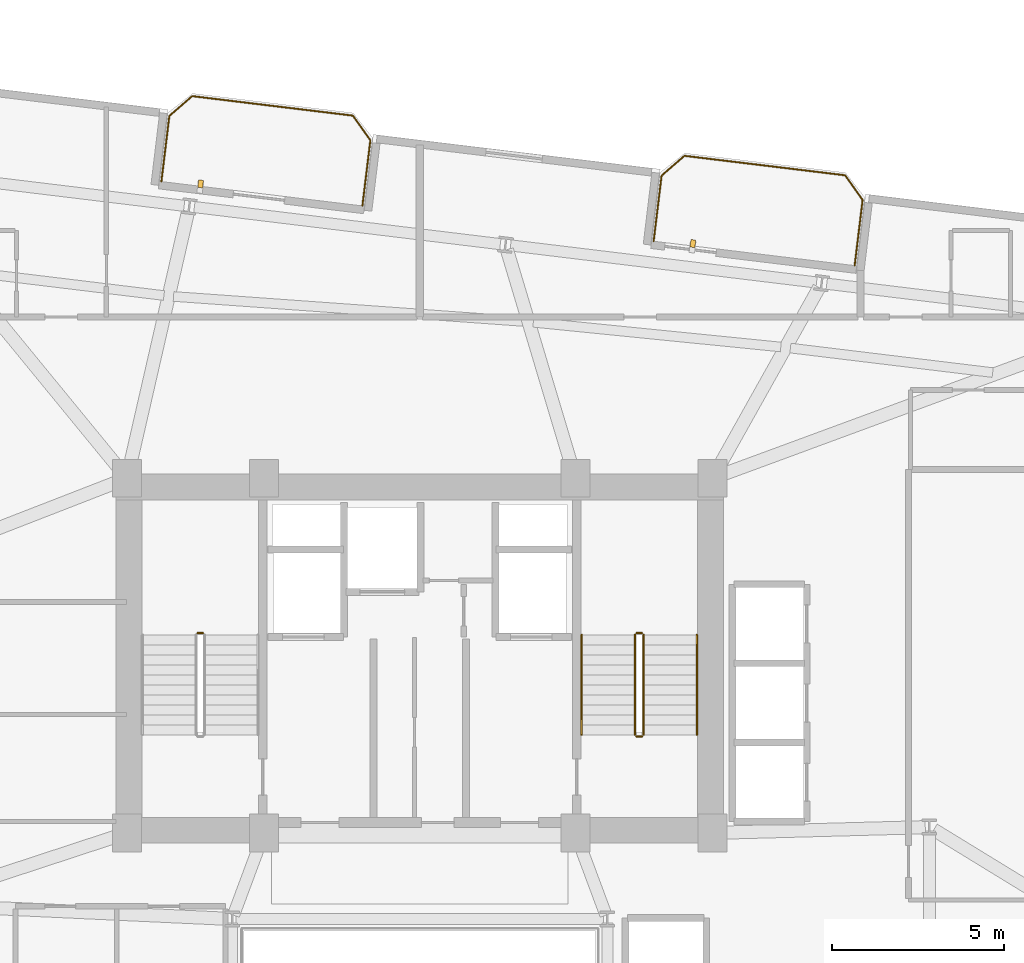
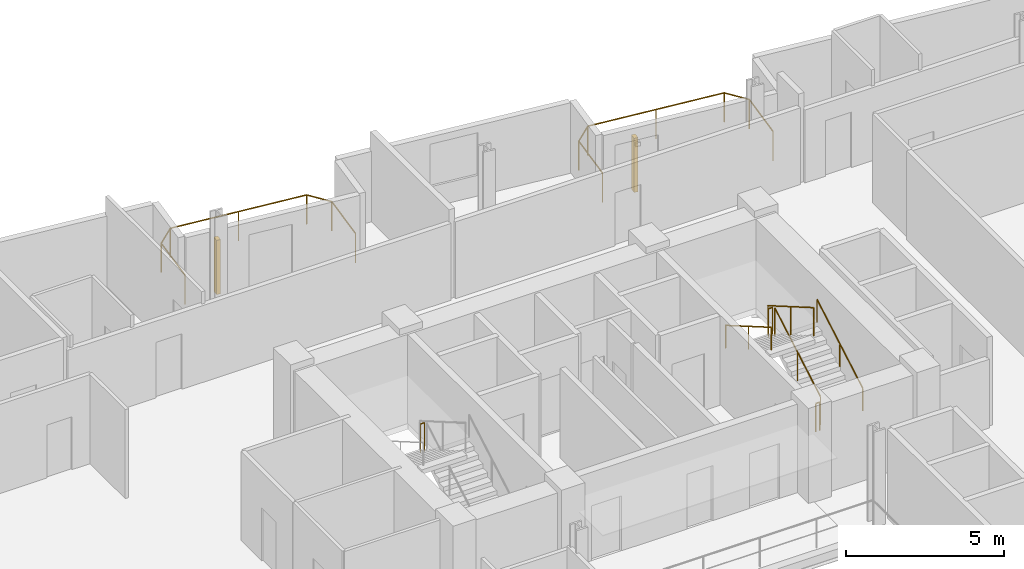
# One storey, part 26 of 26: 9 railings, 2 shading devices.
"""IFC4 building model written with IfcOpenShell, lengths in metres."""

from ifc_helpers import new_model, si_unit, direction, frame, origin, origin_2d, place, context, subcontext, project, spatial, rectangle, circle, extrude, source, transform, mapped, material, type_object, element, save


model = new_model("IFC4")

# Units and contexts
model_context = context("Model", 3, precision=1e-05, world=origin(), true_north=direction((0.0, 1.0)))
body_context = subcontext(model_context, "Body", "Model", "MODEL_VIEW")
ifc_project = project(units=[si_unit("LENGTHUNIT", "METRE"), si_unit("AREAUNIT", "SQUARE_METRE"), si_unit("VOLUMEUNIT", "CUBIC_METRE"), si_unit("PLANEANGLEUNIT", "RADIAN"), si_unit("MASSUNIT", "GRAM", prefix="KILO")], contexts=[model_context])

# Site, building, storey
site_placement = place(None, origin())
site = spatial("IfcSite", under=ifc_project, at=site_placement, CompositionType="ELEMENT")
building_placement = place(site_placement, origin())
building = spatial("IfcBuilding", under=site, at=building_placement, Name="Varnelok Gate Tower", CompositionType="ELEMENT")
storey_placement = place(building_placement, frame((0.0, 0.0, 143.89990234375)))
storey = spatial("IfcBuildingStorey", under=building, at=storey_placement, Name="L36", CompositionType="ELEMENT", Elevation=143.89990234375)

# Railings
ifc_material_1 = material(Name="Low-E Laminated Double Glazing IGU", Category="glass")
railing_type_1 = type_object("IfcRailingType", Name="RL-BALC-1150", PredefinedType="BALUSTRADE", material=ifc_material_1)
railing_1_placement = place(storey_placement, frame((31.697021484375, 47.66552734375, 0.0)))
element("IfcRailing", 1, at=railing_1_placement, inside=storey, type_object=railing_type_1, Name="L36 North Terrace Balustrade 3", PredefinedType="BALUSTRADE", context=body_context, shape_type="SweptSolid", body=[
    extrude(circle(Radius=0.02392578125, at=origin_2d()), frame((0.0, 0.0, 1.1259765625), z_axis=(0.120293392036, 0.992738384386, 0.0), x_axis=(-0.992738384386, 0.120293392036, 0.0)), (0.0, 0.0, 1.0), 1.919921875),
    extrude(circle(Radius=0.02392578125, at=origin_2d()), frame((0.23095703125, 1.906005859375, 1.1259765625), z_axis=(0.756422670136, 0.654083132411, 0.0), x_axis=(-0.654083132411, 0.756422670136, 0.0)), (0.0, 0.0, 1.0), 0.8779296875),
    extrude(circle(Radius=0.02392578125, at=origin_2d()), frame((0.89501953125, 2.480224609375, 1.1259765625), z_axis=(0.992730585037, -0.120357739811, 0.0), x_axis=(0.120357739811, 0.992730585037, 0.0)), (0.0, 0.0, 1.0), 4.699951171875),
    extrude(circle(Radius=0.02392578125, at=origin_2d()), frame((5.560791015625, 1.91455078125, 1.1259765625), z_axis=(0.578287426437, -0.81583310329, 0.0), x_axis=(0.81583310329, 0.578287426437, 0.0)), (0.0, 0.0, 1.0), 0.877685546875),
    extrude(circle(Radius=0.02392578125, at=origin_2d()), frame((6.068359375, 1.198486328125, 1.1259765625), z_axis=(-0.120418709125, -0.992723191274, 0.0), x_axis=(0.992723191274, -0.120418709125, 0.0)), (0.0, 0.0, 1.0), 1.919921875),
    extrude(circle(Radius=0.02099609375, at=origin_2d()), origin(), (0.0, 0.0, 1.0), 1.101806640625),
    extrude(circle(Radius=0.02099609375, at=origin_2d()), frame((0.23095703125, 1.906005859375, 0.0)), (0.0, 0.0, 1.0), 1.101806640625),
    extrude(circle(Radius=0.02099609375, at=origin_2d()), frame((0.89501953125, 2.480224609375, 0.0)), (0.0, 0.0, 1.0), 1.101806640625),
    extrude(circle(Radius=0.02099609375, at=origin_2d()), frame((3.22802734375, 2.197265625, 0.0)), (0.0, 0.0, 1.0), 1.101806640625),
    extrude(circle(Radius=0.02099609375, at=origin_2d()), frame((5.560791015625, 1.91455078125, 0.0)), (0.0, 0.0, 1.0), 1.101806640625),
    extrude(circle(Radius=0.02099609375, at=origin_2d()), frame((6.068359375, 1.198486328125, 0.0)), (0.0, 0.0, 1.0), 1.101806640625),
    extrude(circle(Radius=0.02099609375, at=origin_2d()), frame((5.837158203125, -0.70751953125, 0.0)), (0.0, 0.0, 1.0), 1.101806640625),
])
railing_2_placement = place(storey_placement, frame((45.992431640625, 45.9326171875, 0.0)))
element("IfcRailing", 2, at=railing_2_placement, inside=storey, type_object=railing_type_1, Name="L36 North Terrace Balustrade 4", PredefinedType="BALUSTRADE", context=body_context, shape_type="SweptSolid", body=[
    extrude(circle(Radius=0.02392578125, at=origin_2d()), frame((0.0, 0.0, 1.1259765625), z_axis=(0.120293392036, 0.992738384386, 0.0), x_axis=(-0.992738384386, 0.120293392036, 0.0)), (0.0, 0.0, 1.0), 1.919921875),
    extrude(circle(Radius=0.02392578125, at=origin_2d()), frame((0.23095703125, 1.906005859375, 1.1259765625), z_axis=(0.756422670136, 0.654083132411, 0.0), x_axis=(-0.654083132411, 0.756422670136, 0.0)), (0.0, 0.0, 1.0), 0.8779296875),
    extrude(circle(Radius=0.02392578125, at=origin_2d()), frame((0.89501953125, 2.480224609375, 1.1259765625), z_axis=(0.992730585037, -0.120357739811, 0.0), x_axis=(0.120357739811, 0.992730585037, 0.0)), (0.0, 0.0, 1.0), 4.699951171875),
    extrude(circle(Radius=0.02392578125, at=origin_2d()), frame((5.560791015625, 1.91455078125, 1.1259765625), z_axis=(0.57815621837, -0.815926091726, 0.0), x_axis=(0.815926091726, 0.57815621837, 0.0)), (0.0, 0.0, 1.0), 0.8779296875),
    extrude(circle(Radius=0.02392578125, at=origin_2d()), frame((6.068359375, 1.1982421875, 1.1259765625), z_axis=(-0.120418709125, -0.992723191274, 0.0), x_axis=(0.992723191274, -0.120418709125, 0.0)), (0.0, 0.0, 1.0), 1.919921875),
    extrude(circle(Radius=0.02099609375, at=origin_2d()), origin(), (0.0, 0.0, 1.0), 1.101806640625),
    extrude(circle(Radius=0.02099609375, at=origin_2d()), frame((0.23095703125, 1.906005859375, 0.0)), (0.0, 0.0, 1.0), 1.101806640625),
    extrude(circle(Radius=0.02099609375, at=origin_2d()), frame((0.89501953125, 2.480224609375, 0.0)), (0.0, 0.0, 1.0), 1.101806640625),
    extrude(circle(Radius=0.02099609375, at=origin_2d()), frame((3.22802734375, 2.197265625, 0.0)), (0.0, 0.0, 1.0), 1.101806640625),
    extrude(circle(Radius=0.02099609375, at=origin_2d()), frame((5.560791015625, 1.91455078125, 0.0)), (0.0, 0.0, 1.0), 1.101806640625),
    extrude(circle(Radius=0.02099609375, at=origin_2d()), frame((6.068359375, 1.1982421875, 0.0)), (0.0, 0.0, 1.0), 1.101806640625),
    extrude(circle(Radius=0.02099609375, at=origin_2d()), frame((5.837158203125, -0.707763671875, 0.0)), (0.0, 0.0, 1.0), 1.101806640625),
])
ifc_material_2 = material(Name="Brushed Stainless Steel AISI 316", Category="steel")
railing_type_2 = type_object("IfcRailingType", Name="RL-HANDRAIL-900", PredefinedType="HANDRAIL", material=ifc_material_2)
railing_3_placement = place(storey_placement, frame((47.25, 31.60009765625, 0.168212890625)))
element("IfcRailing", 3, at=railing_3_placement, inside=storey, type_object=railing_type_2, Name="L36 ST-2 stair handrail 1", PredefinedType="HANDRAIL", context=body_context, shape_type="SweptSolid", body=[
    extrude(circle(Radius=0.02392578125, at=origin_2d()), frame((0.0, 0.0, 0.8759765625), z_axis=(0.0, 0.865038774852, 0.501705010941), x_axis=(-1.0, 0.0, 0.0)), (0.0, 0.0, 1.0), 3.352294921875),
    extrude(circle(Radius=0.02099609375, at=origin_2d()), origin(), (0.0, 0.0, 1.0), 0.851806640625),
    extrude(circle(Radius=0.02099609375, at=origin_2d()), frame((0.0, 1.449951171875, 0.8408203125)), (0.0, 0.0, 1.0), 0.851806640625),
    extrude(circle(Radius=0.02099609375, at=origin_2d()), frame((0.0, 2.89990234375, 1.681884765625)), (0.0, 0.0, 1.0), 0.851806640625),
])
railing_4_placement = place(storey_placement, frame((43.89990234375, 34.5, 2.018310546875)))
element("IfcRailing", 4, at=railing_4_placement, inside=storey, type_object=railing_type_2, Name="L36 ST-2 stair handrail 2", PredefinedType="HANDRAIL", context=body_context, shape_type="SweptSolid", body=[
    extrude(circle(Radius=0.02392578125, at=origin_2d()), frame((0.0, 0.0, 0.8759765625), z_axis=(0.0, -0.865038774852, 0.501705010941), x_axis=(1.0, 0.0, 0.0)), (0.0, 0.0, 1.0), 3.352294921875),
    extrude(circle(Radius=0.02099609375, at=origin_2d()), origin(), (0.0, 0.0, 1.0), 0.851806640625),
    extrude(circle(Radius=0.02099609375, at=origin_2d()), frame((0.0, -1.449951171875, 0.8408203125)), (0.0, 0.0, 1.0), 0.851806640625),
    extrude(circle(Radius=0.02099609375, at=origin_2d()), frame((0.0, -2.89990234375, 1.681884765625)), (0.0, 0.0, 1.0), 0.851806640625),
])
ifc_material_3 = material(Name="Galvanized Steel Grade S350GD", Category="steel")
railing_type_3 = type_object("IfcRailingType", Name="RL-STAIR-GUARD1120", PredefinedType="GUARDRAIL", material=ifc_material_3)
railing_5_placement = place(storey_placement, frame((32.89990234375, 34.550048828125, 1.85009765625)))
element("IfcRailing", 5, at=railing_5_placement, inside=storey, type_object=railing_type_3, Name="L36 ST-1 stair guard 2", PredefinedType="GUARDRAIL", context=body_context, shape_type="SweptSolid", body=[
    extrude(circle(Radius=0.02392578125, at=origin_2d()), frame((0.0, 0.0, 1.09619140625), z_axis=(-1.0, 0.0, 0.0), x_axis=(0.0, -1.0, 0.0)), (0.0, 0.0, 1.0), 0.14990234375),
    extrude(circle(Radius=0.02099609375, at=origin_2d()), origin(), (0.0, 0.0, 1.0), 1.072021484375),
    extrude(circle(Radius=0.02099609375, at=origin_2d()), frame((-0.14990234375, 0.0, 0.0)), (0.0, 0.0, 1.0), 1.072021484375),
])
railing_6_placement = place(storey_placement, frame((45.699951171875, 31.60009765625, 0.168212890625)))
element("IfcRailing", 6, at=railing_6_placement, inside=storey, type_object=railing_type_3, Name="L36 ST-2 stair guard 1", PredefinedType="GUARDRAIL", context=body_context, shape_type="SweptSolid", body=[
    extrude(circle(Radius=0.02392578125, at=origin_2d()), frame((0.0, 0.0, 1.09619140625), z_axis=(0.0, 0.865038774852, 0.501705010941), x_axis=(-1.0, 0.0, 0.0)), (0.0, 0.0, 1.0), 3.352294921875),
    extrude(circle(Radius=0.02099609375, at=origin_2d()), origin(), (0.0, 0.0, 1.0), 1.072021484375),
    extrude(circle(Radius=0.02099609375, at=origin_2d()), frame((0.0, 1.449951171875, 0.8408203125)), (0.0, 0.0, 1.0), 1.072021484375),
    extrude(circle(Radius=0.02099609375, at=origin_2d()), frame((0.0, 2.89990234375, 1.681884765625)), (0.0, 0.0, 1.0), 1.072021484375),
])
railing_7_placement = place(storey_placement, frame((45.64990234375, 34.550048828125, 1.85009765625)))
element("IfcRailing", 7, at=railing_7_placement, inside=storey, type_object=railing_type_3, Name="L36 ST-2 stair guard 2", PredefinedType="GUARDRAIL", context=body_context, shape_type="SweptSolid", body=[
    extrude(circle(Radius=0.02392578125, at=origin_2d()), frame((0.0, 0.0, 1.09619140625), z_axis=(-1.0, 0.0, 0.0), x_axis=(0.0, -1.0, 0.0)), (0.0, 0.0, 1.0), 0.14990234375),
    extrude(circle(Radius=0.02099609375, at=origin_2d()), origin(), (0.0, 0.0, 1.0), 1.072021484375),
    extrude(circle(Radius=0.02099609375, at=origin_2d()), frame((-0.14990234375, 0.0, 0.0)), (0.0, 0.0, 1.0), 1.072021484375),
])
railing_8_placement = place(storey_placement, frame((45.449951171875, 34.5, 2.018310546875)))
element("IfcRailing", 8, at=railing_8_placement, inside=storey, type_object=railing_type_3, Name="L36 ST-2 stair guard 3", PredefinedType="GUARDRAIL", context=body_context, shape_type="SweptSolid", body=[
    extrude(circle(Radius=0.02392578125, at=origin_2d()), frame((0.0, 0.0, 1.09619140625), z_axis=(0.0, -0.865038774852, 0.501705010941), x_axis=(1.0, 0.0, 0.0)), (0.0, 0.0, 1.0), 3.352294921875),
    extrude(circle(Radius=0.02099609375, at=origin_2d()), origin(), (0.0, 0.0, 1.0), 1.072021484375),
    extrude(circle(Radius=0.02099609375, at=origin_2d()), frame((0.0, -1.449951171875, 0.8408203125)), (0.0, 0.0, 1.0), 1.072021484375),
    extrude(circle(Radius=0.02099609375, at=origin_2d()), frame((0.0, -2.89990234375, 1.681884765625)), (0.0, 0.0, 1.0), 1.072021484375),
])
railing_9_placement = place(storey_placement, frame((45.64990234375, 31.550048828125, 0.0)))
element("IfcRailing", 9, at=railing_9_placement, inside=storey, type_object=railing_type_3, Name="L36 ST-2 stair guard 4", PredefinedType="GUARDRAIL", context=body_context, shape_type="SweptSolid", body=[
    extrude(circle(Radius=0.02392578125, at=origin_2d()), frame((0.0, 0.0, 1.09619140625), z_axis=(-1.0, 0.0, 0.0), x_axis=(0.0, -1.0, 0.0)), (0.0, 0.0, 1.0), 0.14990234375),
    extrude(circle(Radius=0.02099609375, at=origin_2d()), origin(), (0.0, 0.0, 1.0), 1.072021484375),
    extrude(circle(Radius=0.02099609375, at=origin_2d()), frame((-0.14990234375, 0.0, 0.0)), (0.0, 0.0, 1.0), 1.072021484375),
])

# Shading devices
ifc_material_4 = material(Name="Glazed Architectural Terracotta Ceramic", Category="masonry")
shading_device_type = type_object("IfcShadingDeviceType", Name="SHD-TERRA-BAGUETTE", PredefinedType="USERDEFINED", material=ifc_material_4)
shared_shape = source(origin(), body_context, "Body", "SweptSolid", [
    extrude(rectangle(XDim=0.139892578125, YDim=0.219970703125, at=origin_2d()), origin(), (0.0, 0.0, 1.0), 2.10009765625),
])
for number, where, z_axis, x_axis, name in (
    (10, (32.837158203125, 47.597900390625, 0.10009765625), (0.0, 0.0, 1.0), (0.992732158755, -0.12034475881, 0.0), "L36 Terracotta Ceramic Baguette Sunscreen 3.1"),
    (11, (47.132568359375, 45.86474609375, 0.10009765625), (0.0, 0.0, 1.0), (0.992732158755, -0.12034475881, 0.0), "L36 Terracotta Ceramic Baguette Sunscreen 4.1"),
):
    element("IfcShadingDevice", number, at=place(storey_placement, frame(where, z_axis=z_axis, x_axis=x_axis)), inside=storey, type_object=shading_device_type, Name=name, ObjectType="BAGUETTE", PredefinedType="USERDEFINED", context=body_context, shape_type="MappedRepresentation", body=[
        mapped(shared_shape, transform((0.0, 0.0, 0.0), scale=1.0)),
    ])

save(model, "model.ifc")
